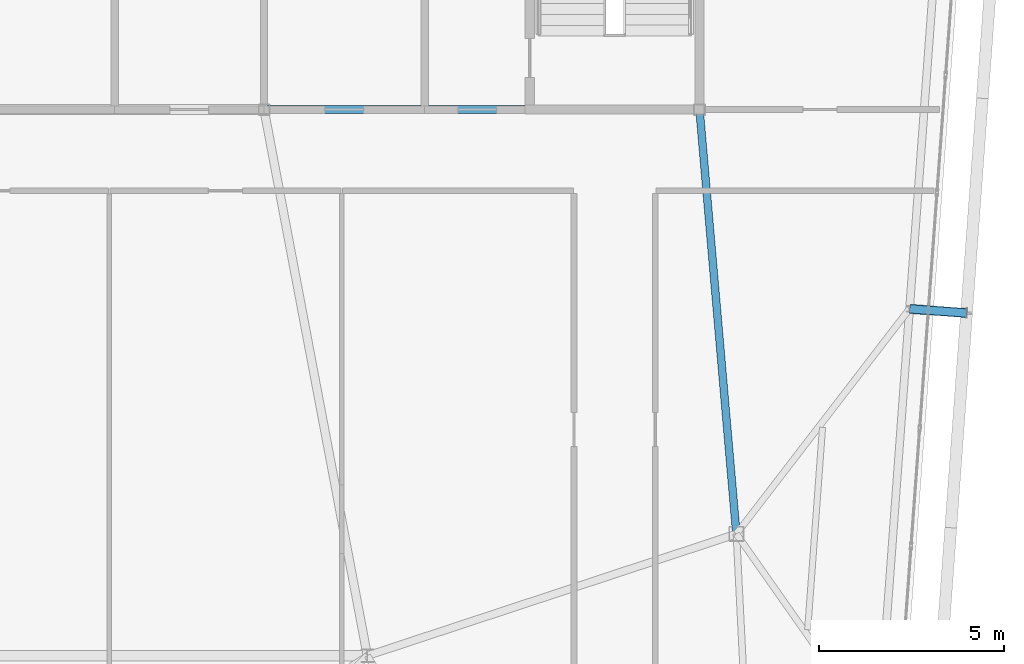
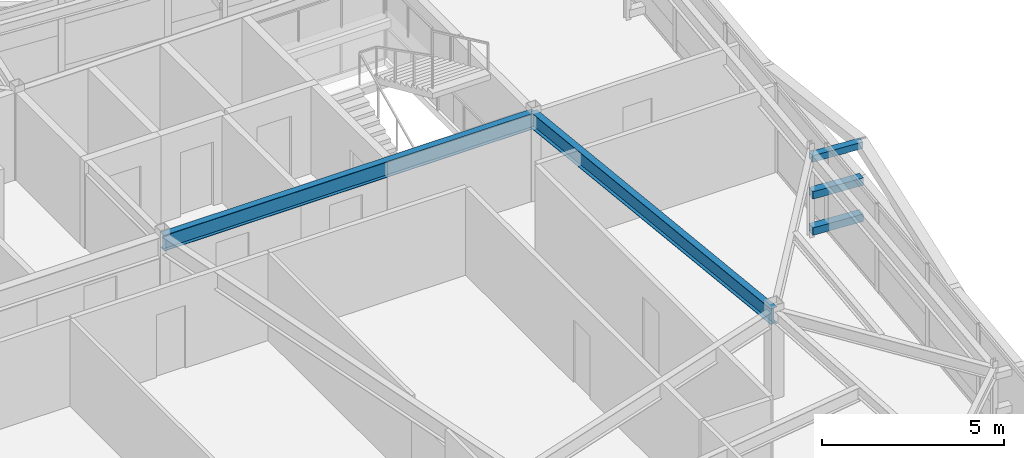
# One storey, part 22 of 42: 3 members, 2 beams.
"""IFC4 building model written with IfcOpenShell, lengths in metres."""

from ifc_helpers import new_model, si_unit, direction, frame, origin, origin_2d, place, context, subcontext, project, spatial, hollow_rectangle, i_section, extrude, source, transform, mapped, material, material_profile, profile_set, type_object, element, save


model = new_model("IFC4")

# Units and contexts
model_context = context("Model", 3, precision=1e-05, world=origin(), true_north=direction((0.0, 1.0)))
body_context = subcontext(model_context, "Body", "Model", "MODEL_VIEW")
ifc_project = project(units=[si_unit("LENGTHUNIT", "METRE"), si_unit("AREAUNIT", "SQUARE_METRE"), si_unit("VOLUMEUNIT", "CUBIC_METRE"), si_unit("PLANEANGLEUNIT", "RADIAN"), si_unit("MASSUNIT", "GRAM", prefix="KILO")], contexts=[model_context])

# Site, building, storey
site_placement = place(None, origin())
site = spatial("IfcSite", under=ifc_project, at=site_placement, CompositionType="ELEMENT")
building_placement = place(site_placement, origin())
building = spatial("IfcBuilding", under=site, at=building_placement, Name="Taldren Reach Tower", CompositionType="ELEMENT")
storey_placement = place(building_placement, frame((0.0, 0.0, 224.0)))
storey = spatial("IfcBuildingStorey", under=building, at=storey_placement, Name="L68", CompositionType="ELEMENT", Elevation=224.0)

# Beams
ifc_material_1 = material(Name="Steel Gr 350 (350PLUS)", Category="steel")
ifc_material_profile_1 = material_profile(ifc_material_1, i_section(OverallWidth=0.208984375, OverallDepth=0.532958984375, WebThickness=0.01025390625, FlangeThickness=0.015625, at=origin_2d()), Name="530UB92.4")
ifc_profile_set_1 = profile_set([ifc_material_profile_1], Name="Steel Gr 350 (350PLUS)")
beam_type = type_object("IfcBeamType", Name="BM-UB530A", PredefinedType="BEAM", material=ifc_profile_set_1)
shared_shape_1 = source(origin(), body_context, "Body", "SweptSolid", [
    extrude(i_section(OverallWidth=0.208984375, OverallDepth=0.532958984375, WebThickness=0.01025390625, FlangeThickness=0.015625, at=origin_2d()), origin(), (0.0, 0.0, 1.0), 11.800048828125),
])
beam_1_placement = place(storey_placement, frame((39.199951171875, 24.0, 2.66357421875), z_axis=(1.0, 0.0, 0.0), x_axis=(0.0, 1.0, 0.0)))
element("IfcBeam", 1, at=beam_1_placement, inside=storey, type_object=beam_type, Name="Core-spine girder L68-SP03", PredefinedType="BEAM", context=body_context, shape_type="MappedRepresentation", body=[
    mapped(shared_shape_1, transform((0.0, 0.0, 0.0), scale=1.0)),
])
shared_shape_2 = source(origin(), body_context, "Body", "SweptSolid", [
    extrude(i_section(OverallWidth=0.208984375, OverallDepth=0.532958984375, WebThickness=0.01025390625, FlangeThickness=0.015625, at=origin_2d()), origin(), (0.0, 0.0, 1.0), 11.54345703125),
])
beam_2_placement = place(storey_placement, frame((52.0, 12.5, 2.66357421875), z_axis=(-0.086629616365, 0.996240588196, 0.0), x_axis=(-0.996240588196, -0.086629616365, 0.0)))
element("IfcBeam", 2, at=beam_2_placement, inside=storey, type_object=beam_type, Name="Core-spine girder L68-SP13", PredefinedType="BEAM", context=body_context, shape_type="MappedRepresentation", body=[
    mapped(shared_shape_2, transform((0.0, 0.0, 0.0), scale=1.0)),
])

# Members
ifc_material_2 = material(Name="Steel Gr 450 (C450L0)", Category="steel")
ifc_material_profile_2 = material_profile(ifc_material_2, hollow_rectangle(XDim=0.219970703125, YDim=0.219970703125, WallThickness=0.00830078125, at=origin_2d()), Name="220x220x8.2SHS")
ifc_profile_set_2 = profile_set([ifc_material_profile_2], Name="Steel Gr 450 (C450L0)")
member_type_1 = type_object("IfcMemberType", Name="MB-TIE219", PredefinedType="STRUT", material=ifc_profile_set_2)
shared_shape_3 = source(origin(), body_context, "Body", "SweptSolid", [
    extrude(hollow_rectangle(XDim=0.219970703125, YDim=0.219970703125, WallThickness=0.00830078125, at=origin_2d()), origin(), (0.0, 0.0, 1.0), 1.5458984375),
])
member_placement = place(storey_placement, frame((56.6953125, 18.599365234375, 2.64990234375), z_axis=(0.99732305975, -0.073121231459, 0.0), x_axis=(0.073121231459, 0.99732305975, 0.0)))
element("IfcMember", 3, at=member_placement, inside=storey, type_object=member_type_1, Name="Exoskeleton diaphragm tie strut B5-E2 L68", PredefinedType="STRUT", context=body_context, shape_type="MappedRepresentation", body=[
    mapped(shared_shape_3, transform((0.0, 0.0, 0.0), scale=1.0)),
])
ifc_material_3 = material(Name="Steel Gr 350 (C350L0)", Category="steel")
ifc_material_profile_3 = material_profile(ifc_material_3, hollow_rectangle(XDim=0.25, YDim=0.25, WallThickness=0.010009765625, at=origin_2d()), Name="250x250x10.0SHS")
ifc_profile_set_3 = profile_set([ifc_material_profile_3], Name="Steel Gr 350 (C350L0)")
member_type_2 = type_object("IfcMemberType", Name="MB-POST250", PredefinedType="POST", material=ifc_profile_set_3)
shared_shape_4 = source(origin(), body_context, "Body", "SweptSolid", [
    extrude(hollow_rectangle(XDim=0.25, YDim=0.25, WallThickness=0.010009765625, at=origin_2d()), origin(), (0.0, 0.0, 1.0), 1.5458984375),
])
for number, where, z_axis, x_axis, name in (
    (4, (56.6953125, 18.599365234375, 0.219970703125), (0.99732305975, -0.073121231459, 0.0), (0.073121231459, 0.99732305975, 0.0), "Exoskeleton base diaphragm tie strut B5-E2 L68"),
    (5, (56.6953125, 18.599365234375, 1.43505859375), (0.99732305975, -0.073121231459, 0.0), (0.073121231459, 0.99732305975, 0.0), "Exoskeleton mid-tier diaphragm tie B5-E2 L68"),
):
    element("IfcMember", number, at=place(storey_placement, frame(where, z_axis=z_axis, x_axis=x_axis)), inside=storey, type_object=member_type_2, Name=name, PredefinedType="POST", context=body_context, shape_type="MappedRepresentation", body=[
        mapped(shared_shape_4, transform((0.0, 0.0, 0.0), scale=1.0)),
    ])

save(model, "model.ifc")
